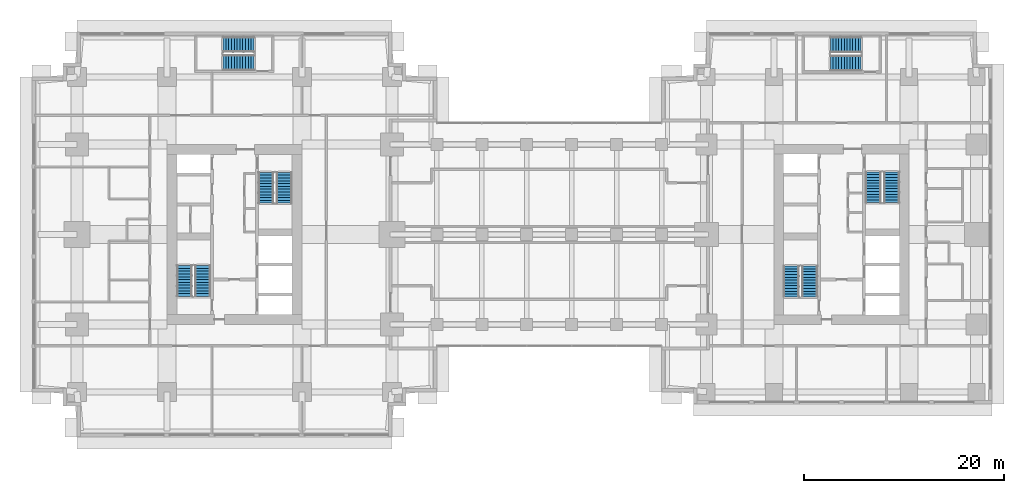
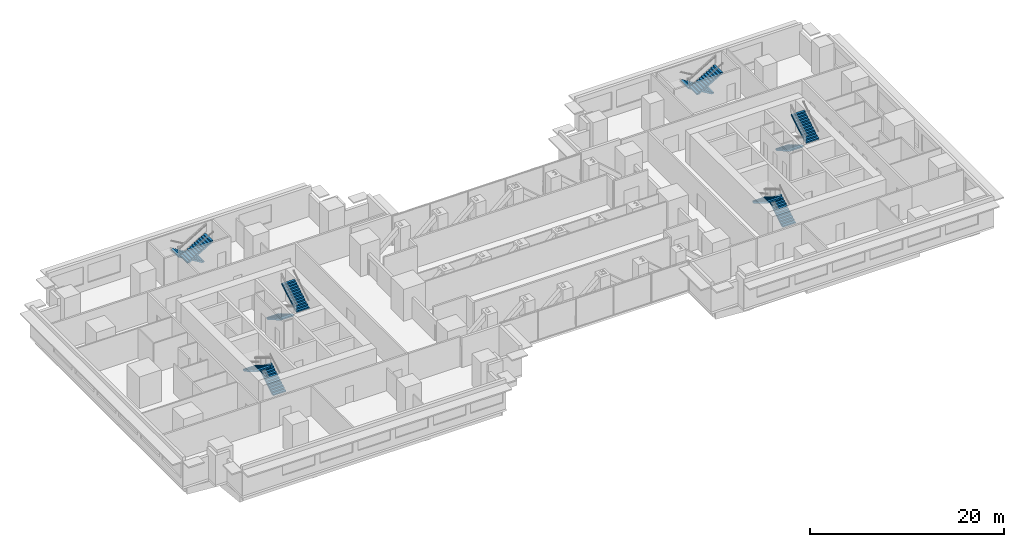
# One storey, part 13 of 16: 12 stair flights, 6 elements without a shape of their own.
"""IFC4 building model written with IfcOpenShell, lengths in metres."""

from ifc_helpers import new_model, si_unit, direction, frame, origin, place, context, subcontext, project, spatial, polyline, outline, extrude, material, type_object, element, aggregate, save


model = new_model("IFC4")

# Units and contexts
model_context = context("Model", 3, precision=1e-05, world=origin(), true_north=direction((0.0, 1.0)))
body_context = subcontext(model_context, "Body", "Model", "MODEL_VIEW")
ifc_project = project(units=[si_unit("LENGTHUNIT", "METRE"), si_unit("AREAUNIT", "SQUARE_METRE"), si_unit("VOLUMEUNIT", "CUBIC_METRE"), si_unit("PLANEANGLEUNIT", "RADIAN"), si_unit("MASSUNIT", "GRAM", prefix="KILO")], contexts=[model_context])

# Site, building, storey
site_placement = place(None, origin())
site = spatial("IfcSite", under=ifc_project, at=site_placement, CompositionType="ELEMENT")
building_placement = place(site_placement, origin())
building = spatial("IfcBuilding", under=site, at=building_placement, Name="Namib Vertical Campus", CompositionType="ELEMENT")
storey_placement = place(building_placement, frame((0.0, 0.0, 125.0)))
storey = spatial("IfcBuildingStorey", under=building, at=storey_placement, Name="L29", CompositionType="ELEMENT", Elevation=125.0)

# Stair, stair flights
ifc_material_1 = material(Name="Concrete C40/50 precast", Category="concrete")
stair_type_1 = type_object("IfcStairType", Name="Exit stair 4000 rise 24 risers 3350 wide", PredefinedType="HALF_TURN_STAIR", material=ifc_material_1)
stair_1_placement = place(storey_placement, origin())
stair_1 = element("IfcStair", 1, at=stair_1_placement, inside=storey, type_object=stair_type_1, Name="Exit stair A-S1 L29", PredefinedType="HALF_TURN_STAIR")
ifc_material_2 = material(Name="Concrete C40/50 precast", Category="concrete")
stair_flight_type_1 = type_object("IfcStairFlightType", Name="Stair flight 12 risers 167 1525 wide", PredefinedType="STRAIGHT", material=ifc_material_2)
stair_flight_1_placement = place(storey_placement, frame((17.08740234375, 14.050048828125, 0.0), z_axis=(0.0, 0.0, 1.0), x_axis=(0.0, 1.0, 0.0)))
stair_flight_1 = element("IfcStairFlight", 2, at=stair_flight_1_placement, type_object=stair_flight_type_1, Name="A-S1 flight 1", NumberOfRisers=12, NumberOfTreads=11, PredefinedType="STRAIGHT", RiserHeight=0.166666667, TreadLength=0.28, context=body_context, shape_type="SweptSolid", body=[
    extrude(outline(polyline([(0.0, 0.0), (0.0, 0.166748046875), (0.280029296875, 0.166748046875), (0.280029296875, 0.333251953125), (0.56005859375, 0.333251953125), (0.56005859375, 0.5), (0.840087890625, 0.5), (0.840087890625, 0.666748046875), (1.1201171875, 0.666748046875), (1.1201171875, 0.833251953125), (1.39990234375, 0.833251953125), (1.39990234375, 1.0), (1.679931640625, 1.0), (1.679931640625, 1.166748046875), (1.9599609375, 1.166748046875), (1.9599609375, 1.333251953125), (2.239990234375, 1.333251953125), (2.239990234375, 1.5), (2.52001953125, 1.5), (2.52001953125, 1.666748046875), (2.800048828125, 1.666748046875), (2.800048828125, 1.833251953125), (3.080078125, 1.833251953125), (3.080078125, 2.0), (3.080078125, 1.658935546875), (0.29296875, 0.0), (0.0, 0.0)])), frame((0.0, 0.762451171875, 0.0), z_axis=(0.0, -1.0, 0.0), x_axis=(1.0, 0.0, 0.0)), (0.0, 0.0, 1.0), 1.52490234375),
])
stair_flight_2_placement = place(storey_placement, frame((15.262451171875, 17.1298828125, 2.0), z_axis=(0.0, 0.0, 1.0), x_axis=(0.0, -1.0, 0.0)))
stair_flight_2 = element("IfcStairFlight", 3, at=stair_flight_2_placement, type_object=stair_flight_type_1, Name="A-S1 flight 2", NumberOfRisers=12, NumberOfTreads=11, PredefinedType="STRAIGHT", RiserHeight=0.166666667, TreadLength=0.28, context=body_context, shape_type="SweptSolid", body=[
    extrude(outline(polyline([(0.0, 0.0), (0.0, 0.166748046875), (0.280029296875, 0.166748046875), (0.280029296875, 0.333251953125), (0.56005859375, 0.333251953125), (0.56005859375, 0.5), (0.840087890625, 0.5), (0.840087890625, 0.666748046875), (1.1201171875, 0.666748046875), (1.1201171875, 0.833251953125), (1.39990234375, 0.833251953125), (1.39990234375, 1.0), (1.679931640625, 1.0), (1.679931640625, 1.166748046875), (1.9599609375, 1.166748046875), (1.9599609375, 1.333251953125), (2.239990234375, 1.333251953125), (2.239990234375, 1.5), (2.52001953125, 1.5), (2.52001953125, 1.666748046875), (2.800048828125, 1.666748046875), (2.800048828125, 1.833251953125), (3.080078125, 1.833251953125), (3.080078125, 2.0), (3.080078125, 1.658935546875), (0.29296875, 0.0), (0.0, 0.0)])), frame((0.0, 0.762451171875, 0.0), z_axis=(0.0, -1.0, 0.0), x_axis=(1.0, 0.0, 0.0)), (0.0, 0.0, 1.0), 1.52490234375),
])
aggregate(stair_1, [stair_flight_1, stair_flight_2])

stair_2_placement = place(storey_placement, origin())
stair_2 = element("IfcStair", 4, at=stair_2_placement, inside=storey, type_object=stair_type_1, Name="Exit stair A-S2 L29", PredefinedType="HALF_TURN_STAIR")
stair_flight_3_placement = place(storey_placement, frame((23.41259765625, 26.449951171875, 0.0), z_axis=(0.0, 0.0, 1.0), x_axis=(0.0, -1.0, 0.0)))
stair_flight_3 = element("IfcStairFlight", 5, at=stair_flight_3_placement, type_object=stair_flight_type_1, Name="A-S2 flight 1", NumberOfRisers=12, NumberOfTreads=11, PredefinedType="STRAIGHT", RiserHeight=0.166666667, TreadLength=0.28, context=body_context, shape_type="SweptSolid", body=[
    extrude(outline(polyline([(0.0, 0.0), (0.0, 0.166748046875), (0.280029296875, 0.166748046875), (0.280029296875, 0.333251953125), (0.56005859375, 0.333251953125), (0.56005859375, 0.5), (0.840087890625, 0.5), (0.840087890625, 0.666748046875), (1.1201171875, 0.666748046875), (1.1201171875, 0.833251953125), (1.39990234375, 0.833251953125), (1.39990234375, 1.0), (1.679931640625, 1.0), (1.679931640625, 1.166748046875), (1.9599609375, 1.166748046875), (1.9599609375, 1.333251953125), (2.239990234375, 1.333251953125), (2.239990234375, 1.5), (2.52001953125, 1.5), (2.52001953125, 1.666748046875), (2.800048828125, 1.666748046875), (2.800048828125, 1.833251953125), (3.080078125, 1.833251953125), (3.080078125, 2.0), (3.080078125, 1.658935546875), (0.29296875, 0.0), (0.0, 0.0)])), frame((0.0, 0.762451171875, 0.0), z_axis=(0.0, -1.0, 0.0), x_axis=(1.0, 0.0, 0.0)), (0.0, 0.0, 1.0), 1.52490234375),
])
stair_flight_4_placement = place(storey_placement, frame((25.237548828125, 23.3701171875, 2.0), z_axis=(0.0, 0.0, 1.0), x_axis=(0.0, 1.0, 0.0)))
stair_flight_4 = element("IfcStairFlight", 6, at=stair_flight_4_placement, type_object=stair_flight_type_1, Name="A-S2 flight 2", NumberOfRisers=12, NumberOfTreads=11, PredefinedType="STRAIGHT", RiserHeight=0.166666667, TreadLength=0.28, context=body_context, shape_type="SweptSolid", body=[
    extrude(outline(polyline([(0.0, 0.0), (0.0, 0.166748046875), (0.280029296875, 0.166748046875), (0.280029296875, 0.333251953125), (0.56005859375, 0.333251953125), (0.56005859375, 0.5), (0.840087890625, 0.5), (0.840087890625, 0.666748046875), (1.1201171875, 0.666748046875), (1.1201171875, 0.833251953125), (1.39990234375, 0.833251953125), (1.39990234375, 1.0), (1.679931640625, 1.0), (1.679931640625, 1.166748046875), (1.9599609375, 1.166748046875), (1.9599609375, 1.333251953125), (2.239990234375, 1.333251953125), (2.239990234375, 1.5), (2.52001953125, 1.5), (2.52001953125, 1.666748046875), (2.800048828125, 1.666748046875), (2.800048828125, 1.833251953125), (3.080078125, 1.833251953125), (3.080078125, 2.0), (3.080078125, 1.658935546875), (0.29296875, 0.0), (0.0, 0.0)])), frame((0.0, 0.762451171875, 0.0), z_axis=(0.0, -1.0, 0.0), x_axis=(1.0, 0.0, 0.0)), (0.0, 0.0, 1.0), 1.52490234375),
])
aggregate(stair_2, [stair_flight_3, stair_flight_4])

stair_3_placement = place(storey_placement, origin())
stair_3 = element("IfcStair", 7, at=stair_3_placement, inside=storey, type_object=stair_type_1, Name="Exit stair A-S3 L29", PredefinedType="HALF_TURN_STAIR")
stair_flight_5_placement = place(storey_placement, frame((22.199951171875, 39.237548828125, 0.0), z_axis=(0.0, 0.0, 1.0), x_axis=(-1.0, 0.0, 0.0)))
stair_flight_5 = element("IfcStairFlight", 8, at=stair_flight_5_placement, type_object=stair_flight_type_1, Name="A-S3 flight 1", NumberOfRisers=12, NumberOfTreads=11, PredefinedType="STRAIGHT", RiserHeight=0.166666667, TreadLength=0.28, context=body_context, shape_type="SweptSolid", body=[
    extrude(outline(polyline([(0.0, 0.0), (0.0, 0.166748046875), (0.280029296875, 0.166748046875), (0.280029296875, 0.333251953125), (0.56005859375, 0.333251953125), (0.56005859375, 0.5), (0.840087890625, 0.5), (0.840087890625, 0.666748046875), (1.1201171875, 0.666748046875), (1.1201171875, 0.833251953125), (1.39990234375, 0.833251953125), (1.39990234375, 1.0), (1.679931640625, 1.0), (1.679931640625, 1.166748046875), (1.9599609375, 1.166748046875), (1.9599609375, 1.333251953125), (2.239990234375, 1.333251953125), (2.239990234375, 1.5), (2.52001953125, 1.5), (2.52001953125, 1.666748046875), (2.800048828125, 1.666748046875), (2.800048828125, 1.833251953125), (3.080078125, 1.833251953125), (3.080078125, 2.0), (3.080078125, 1.658935546875), (0.29296875, 0.0), (0.0, 0.0)])), frame((0.0, 0.762451171875, 0.0), z_axis=(0.0, -1.0, 0.0), x_axis=(1.0, 0.0, 0.0)), (0.0, 0.0, 1.0), 1.52490234375),
])
stair_flight_6_placement = place(storey_placement, frame((19.1201171875, 37.41259765625, 2.0), z_axis=(0.0, 0.0, 1.0), x_axis=(1.0, 0.0, 0.0)))
stair_flight_6 = element("IfcStairFlight", 9, at=stair_flight_6_placement, type_object=stair_flight_type_1, Name="A-S3 flight 2", NumberOfRisers=12, NumberOfTreads=11, PredefinedType="STRAIGHT", RiserHeight=0.166666667, TreadLength=0.28, context=body_context, shape_type="SweptSolid", body=[
    extrude(outline(polyline([(0.0, 0.0), (0.0, 0.166748046875), (0.280029296875, 0.166748046875), (0.280029296875, 0.333251953125), (0.56005859375, 0.333251953125), (0.56005859375, 0.5), (0.840087890625, 0.5), (0.840087890625, 0.666748046875), (1.1201171875, 0.666748046875), (1.1201171875, 0.833251953125), (1.39990234375, 0.833251953125), (1.39990234375, 1.0), (1.679931640625, 1.0), (1.679931640625, 1.166748046875), (1.9599609375, 1.166748046875), (1.9599609375, 1.333251953125), (2.239990234375, 1.333251953125), (2.239990234375, 1.5), (2.52001953125, 1.5), (2.52001953125, 1.666748046875), (2.800048828125, 1.666748046875), (2.800048828125, 1.833251953125), (3.080078125, 1.833251953125), (3.080078125, 2.0), (3.080078125, 1.658935546875), (0.29296875, 0.0), (0.0, 0.0)])), frame((0.0, 0.762451171875, 0.0), z_axis=(0.0, -1.0, 0.0), x_axis=(1.0, 0.0, 0.0)), (0.0, 0.0, 1.0), 1.52490234375),
])
aggregate(stair_3, [stair_flight_5, stair_flight_6])

ifc_material_3 = material(Name="Concrete C40/50 precast", Category="concrete")
stair_type_2 = type_object("IfcStairType", Name="Exit stair 4000 rise 24 risers 3400 wide", PredefinedType="HALF_TURN_STAIR", material=ifc_material_3)
stair_4_placement = place(storey_placement, origin())
stair_4 = element("IfcStair", 10, at=stair_4_placement, inside=storey, type_object=stair_type_2, Name="Exit stair B-S1 L29", PredefinedType="HALF_TURN_STAIR")
ifc_material_4 = material(Name="Concrete C40/50 precast", Category="concrete")
stair_flight_type_2 = type_object("IfcStairFlightType", Name="Stair flight 12 risers 167 1550 wide", PredefinedType="STRAIGHT", material=ifc_material_4)
stair_flight_7_placement = place(storey_placement, frame((77.824951171875, 14.0, 0.0), z_axis=(0.0, 0.0, 1.0), x_axis=(0.0, 1.0, 0.0)))
stair_flight_7 = element("IfcStairFlight", 11, at=stair_flight_7_placement, type_object=stair_flight_type_2, Name="B-S1 flight 1", NumberOfRisers=12, NumberOfTreads=11, PredefinedType="STRAIGHT", RiserHeight=0.166666667, TreadLength=0.28, context=body_context, shape_type="SweptSolid", body=[
    extrude(outline(polyline([(0.0, 0.0), (0.0, 0.166748046875), (0.280029296875, 0.166748046875), (0.280029296875, 0.333251953125), (0.56005859375, 0.333251953125), (0.56005859375, 0.5), (0.840087890625, 0.5), (0.840087890625, 0.666748046875), (1.1201171875, 0.666748046875), (1.1201171875, 0.833251953125), (1.39990234375, 0.833251953125), (1.39990234375, 1.0), (1.679931640625, 1.0), (1.679931640625, 1.166748046875), (1.9599609375, 1.166748046875), (1.9599609375, 1.333251953125), (2.239990234375, 1.333251953125), (2.239990234375, 1.5), (2.52001953125, 1.5), (2.52001953125, 1.666748046875), (2.800048828125, 1.666748046875), (2.800048828125, 1.833251953125), (3.080078125, 1.833251953125), (3.080078125, 2.0), (3.080078125, 1.658935546875), (0.29296875, 0.0), (0.0, 0.0)])), frame((0.0, 0.77490234375, 0.0), z_axis=(0.0, -1.0, 0.0), x_axis=(1.0, 0.0, 0.0)), (0.0, 0.0, 1.0), 1.550048828125),
])
stair_flight_8_placement = place(storey_placement, frame((75.97509765625, 17.080078125, 2.0), z_axis=(0.0, 0.0, 1.0), x_axis=(0.0, -1.0, 0.0)))
stair_flight_8 = element("IfcStairFlight", 12, at=stair_flight_8_placement, type_object=stair_flight_type_2, Name="B-S1 flight 2", NumberOfRisers=12, NumberOfTreads=11, PredefinedType="STRAIGHT", RiserHeight=0.166666667, TreadLength=0.28, context=body_context, shape_type="SweptSolid", body=[
    extrude(outline(polyline([(0.0, 0.0), (0.0, 0.166748046875), (0.280029296875, 0.166748046875), (0.280029296875, 0.333251953125), (0.56005859375, 0.333251953125), (0.56005859375, 0.5), (0.840087890625, 0.5), (0.840087890625, 0.666748046875), (1.1201171875, 0.666748046875), (1.1201171875, 0.833251953125), (1.39990234375, 0.833251953125), (1.39990234375, 1.0), (1.679931640625, 1.0), (1.679931640625, 1.166748046875), (1.9599609375, 1.166748046875), (1.9599609375, 1.333251953125), (2.239990234375, 1.333251953125), (2.239990234375, 1.5), (2.52001953125, 1.5), (2.52001953125, 1.666748046875), (2.800048828125, 1.666748046875), (2.800048828125, 1.833251953125), (3.080078125, 1.833251953125), (3.080078125, 2.0), (3.080078125, 1.658935546875), (0.29296875, 0.0), (0.0, 0.0)])), frame((0.0, 0.77490234375, 0.0), z_axis=(0.0, -1.0, 0.0), x_axis=(1.0, 0.0, 0.0)), (0.0, 0.0, 1.0), 1.550048828125),
])
aggregate(stair_4, [stair_flight_7, stair_flight_8])

stair_5_placement = place(storey_placement, origin())
stair_5 = element("IfcStair", 13, at=stair_5_placement, inside=storey, type_object=stair_type_2, Name="Exit stair B-S2 L29", PredefinedType="HALF_TURN_STAIR")
stair_flight_9_placement = place(storey_placement, frame((84.175048828125, 26.5, 0.0), z_axis=(0.0, 0.0, 1.0), x_axis=(0.0, -1.0, 0.0)))
stair_flight_9 = element("IfcStairFlight", 14, at=stair_flight_9_placement, type_object=stair_flight_type_2, Name="B-S2 flight 1", NumberOfRisers=12, NumberOfTreads=11, PredefinedType="STRAIGHT", RiserHeight=0.166666667, TreadLength=0.28, context=body_context, shape_type="SweptSolid", body=[
    extrude(outline(polyline([(0.0, 0.0), (0.0, 0.166748046875), (0.280029296875, 0.166748046875), (0.280029296875, 0.333251953125), (0.56005859375, 0.333251953125), (0.56005859375, 0.5), (0.840087890625, 0.5), (0.840087890625, 0.666748046875), (1.1201171875, 0.666748046875), (1.1201171875, 0.833251953125), (1.39990234375, 0.833251953125), (1.39990234375, 1.0), (1.679931640625, 1.0), (1.679931640625, 1.166748046875), (1.9599609375, 1.166748046875), (1.9599609375, 1.333251953125), (2.239990234375, 1.333251953125), (2.239990234375, 1.5), (2.52001953125, 1.5), (2.52001953125, 1.666748046875), (2.800048828125, 1.666748046875), (2.800048828125, 1.833251953125), (3.080078125, 1.833251953125), (3.080078125, 2.0), (3.080078125, 1.658935546875), (0.29296875, 0.0), (0.0, 0.0)])), frame((0.0, 0.77490234375, 0.0), z_axis=(0.0, -1.0, 0.0), x_axis=(1.0, 0.0, 0.0)), (0.0, 0.0, 1.0), 1.550048828125),
])
stair_flight_10_placement = place(storey_placement, frame((86.02490234375, 23.419921875, 2.0), z_axis=(0.0, 0.0, 1.0), x_axis=(0.0, 1.0, 0.0)))
stair_flight_10 = element("IfcStairFlight", 15, at=stair_flight_10_placement, type_object=stair_flight_type_2, Name="B-S2 flight 2", NumberOfRisers=12, NumberOfTreads=11, PredefinedType="STRAIGHT", RiserHeight=0.166666667, TreadLength=0.28, context=body_context, shape_type="SweptSolid", body=[
    extrude(outline(polyline([(0.0, 0.0), (0.0, 0.166748046875), (0.280029296875, 0.166748046875), (0.280029296875, 0.333251953125), (0.56005859375, 0.333251953125), (0.56005859375, 0.5), (0.840087890625, 0.5), (0.840087890625, 0.666748046875), (1.1201171875, 0.666748046875), (1.1201171875, 0.833251953125), (1.39990234375, 0.833251953125), (1.39990234375, 1.0), (1.679931640625, 1.0), (1.679931640625, 1.166748046875), (1.9599609375, 1.166748046875), (1.9599609375, 1.333251953125), (2.239990234375, 1.333251953125), (2.239990234375, 1.5), (2.52001953125, 1.5), (2.52001953125, 1.666748046875), (2.800048828125, 1.666748046875), (2.800048828125, 1.833251953125), (3.080078125, 1.833251953125), (3.080078125, 2.0), (3.080078125, 1.658935546875), (0.29296875, 0.0), (0.0, 0.0)])), frame((0.0, 0.77490234375, 0.0), z_axis=(0.0, -1.0, 0.0), x_axis=(1.0, 0.0, 0.0)), (0.0, 0.0, 1.0), 1.550048828125),
])
aggregate(stair_5, [stair_flight_9, stair_flight_10])

stair_6_placement = place(storey_placement, origin())
stair_6 = element("IfcStair", 16, at=stair_6_placement, inside=storey, type_object=stair_type_2, Name="Exit stair B-S3 L29", PredefinedType="HALF_TURN_STAIR")
stair_flight_11_placement = place(storey_placement, frame((82.949951171875, 39.22509765625, 0.0), z_axis=(0.0, 0.0, 1.0), x_axis=(-1.0, 0.0, 0.0)))
stair_flight_11 = element("IfcStairFlight", 17, at=stair_flight_11_placement, type_object=stair_flight_type_2, Name="B-S3 flight 1", NumberOfRisers=12, NumberOfTreads=11, PredefinedType="STRAIGHT", RiserHeight=0.166666667, TreadLength=0.28, context=body_context, shape_type="SweptSolid", body=[
    extrude(outline(polyline([(0.0, 0.0), (0.0, 0.166748046875), (0.280029296875, 0.166748046875), (0.280029296875, 0.333251953125), (0.56005859375, 0.333251953125), (0.56005859375, 0.5), (0.840087890625, 0.5), (0.840087890625, 0.666748046875), (1.1201171875, 0.666748046875), (1.1201171875, 0.833251953125), (1.39990234375, 0.833251953125), (1.39990234375, 1.0), (1.679931640625, 1.0), (1.679931640625, 1.166748046875), (1.9599609375, 1.166748046875), (1.9599609375, 1.333251953125), (2.239990234375, 1.333251953125), (2.239990234375, 1.5), (2.52001953125, 1.5), (2.52001953125, 1.666748046875), (2.800048828125, 1.666748046875), (2.800048828125, 1.833251953125), (3.080078125, 1.833251953125), (3.080078125, 2.0), (3.080078125, 1.658935546875), (0.29296875, 0.0), (0.0, 0.0)])), frame((0.0, 0.77490234375, 0.0), z_axis=(0.0, -1.0, 0.0), x_axis=(1.0, 0.0, 0.0)), (0.0, 0.0, 1.0), 1.550048828125),
])
stair_flight_12_placement = place(storey_placement, frame((79.8701171875, 37.375, 2.0), z_axis=(0.0, 0.0, 1.0), x_axis=(1.0, 0.0, 0.0)))
stair_flight_12 = element("IfcStairFlight", 18, at=stair_flight_12_placement, type_object=stair_flight_type_2, Name="B-S3 flight 2", NumberOfRisers=12, NumberOfTreads=11, PredefinedType="STRAIGHT", RiserHeight=0.166666667, TreadLength=0.28, context=body_context, shape_type="SweptSolid", body=[
    extrude(outline(polyline([(0.0, 0.0), (0.0, 0.166748046875), (0.280029296875, 0.166748046875), (0.280029296875, 0.333251953125), (0.56005859375, 0.333251953125), (0.56005859375, 0.5), (0.840087890625, 0.5), (0.840087890625, 0.666748046875), (1.1201171875, 0.666748046875), (1.1201171875, 0.833251953125), (1.39990234375, 0.833251953125), (1.39990234375, 1.0), (1.679931640625, 1.0), (1.679931640625, 1.166748046875), (1.9599609375, 1.166748046875), (1.9599609375, 1.333251953125), (2.239990234375, 1.333251953125), (2.239990234375, 1.5), (2.52001953125, 1.5), (2.52001953125, 1.666748046875), (2.800048828125, 1.666748046875), (2.800048828125, 1.833251953125), (3.080078125, 1.833251953125), (3.080078125, 2.0), (3.080078125, 1.658935546875), (0.29296875, 0.0), (0.0, 0.0)])), frame((0.0, 0.77490234375, 0.0), z_axis=(0.0, -1.0, 0.0), x_axis=(1.0, 0.0, 0.0)), (0.0, 0.0, 1.0), 1.550048828125),
])
aggregate(stair_6, [stair_flight_11, stair_flight_12])

save(model, "model.ifc")
